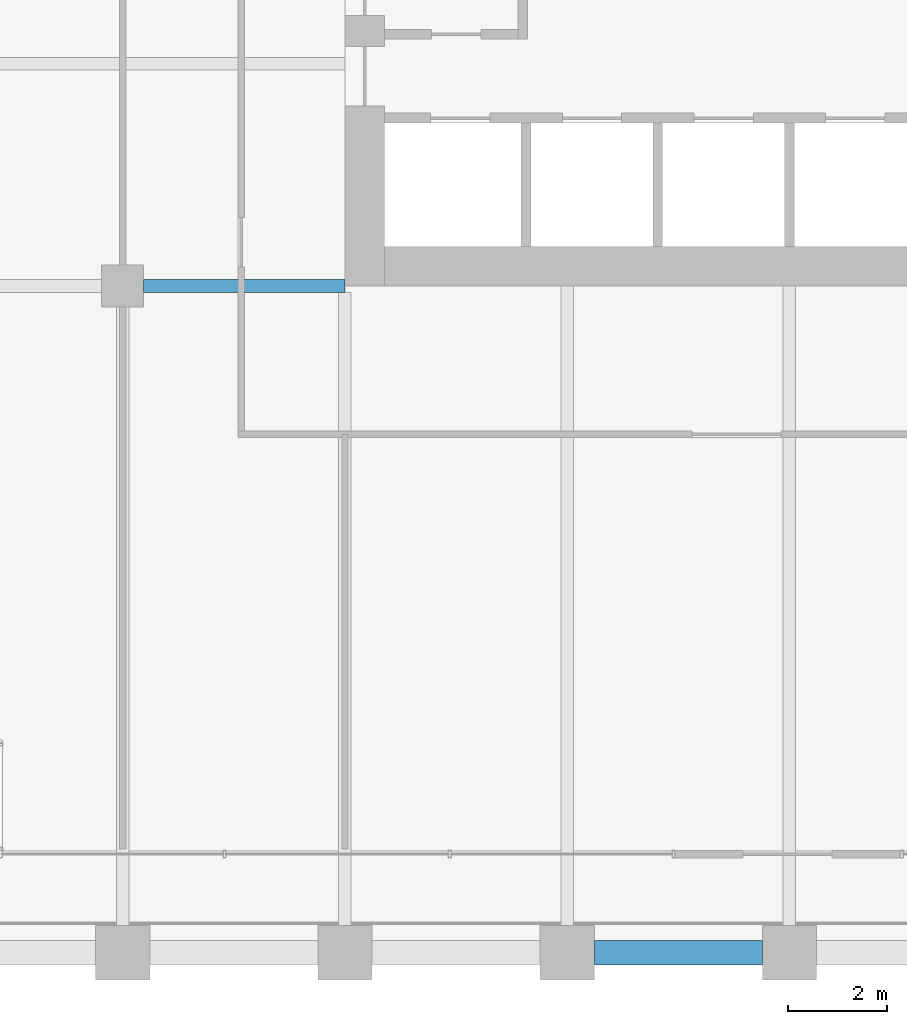
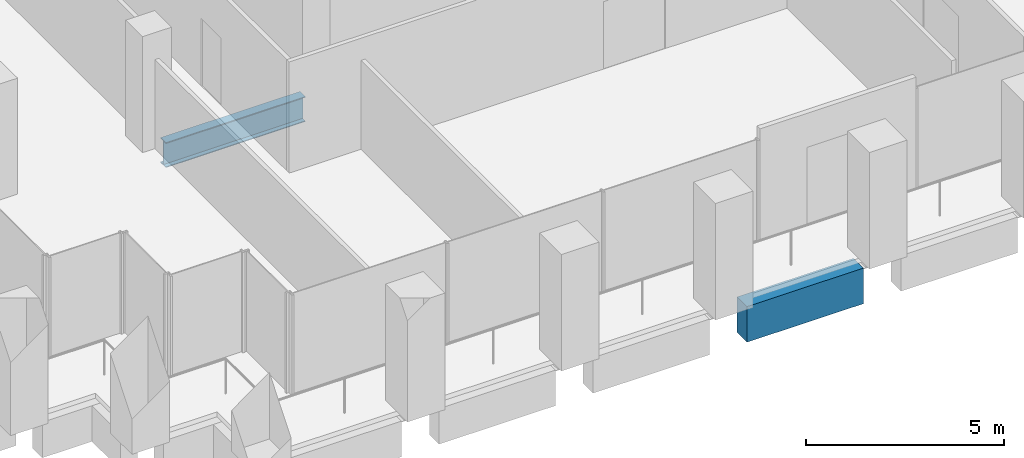
# One storey, part 6 of 54: 2 beams.
"""IFC4 building model written with IfcOpenShell, lengths in metres."""

from ifc_helpers import new_model, si_unit, direction, frame, origin, origin_2d, place, context, subcontext, project, spatial, rectangle, i_section, extrude, material, material_profile, profile_set, type_object, element, save


model = new_model("IFC4")

# Units and contexts
model_context = context("Model", 3, precision=1e-05, world=origin(), true_north=direction((0.0, 1.0)))
body_context = subcontext(model_context, "Body", "Model", "MODEL_VIEW")
ifc_project = project(units=[si_unit("LENGTHUNIT", "METRE"), si_unit("AREAUNIT", "SQUARE_METRE"), si_unit("VOLUMEUNIT", "CUBIC_METRE"), si_unit("PLANEANGLEUNIT", "RADIAN"), si_unit("MASSUNIT", "GRAM", prefix="KILO")], contexts=[model_context])

# Site, building, storey
site_placement = place(None, origin())
site = spatial("IfcSite", under=ifc_project, at=site_placement, CompositionType="ELEMENT")
building_placement = place(site_placement, origin())
building = spatial("IfcBuilding", under=site, at=building_placement, Name="Altepetl Exchange Towers", CompositionType="ELEMENT")
storey_placement = place(building_placement, frame((0.0, 0.0, 65.39990234375)))
storey = spatial("IfcBuildingStorey", under=building, at=storey_placement, Name="L15", CompositionType="ELEMENT", Elevation=65.39990234375)

# Beams
ifc_material_1 = material(Name="Steel S355", Category="steel")
ifc_material_profile_1 = material_profile(ifc_material_1, i_section(OverallWidth=0.26806640625, OverallDepth=0.77392578125, WebThickness=0.015380859375, FlangeThickness=0.025390625, at=origin_2d()), Name="W30X132")
ifc_profile_set_1 = profile_set([ifc_material_profile_1], Name="Steel S355")
beam_type_1 = type_object("IfcBeamType", Name="Girder W30X132", PredefinedType="BEAM", material=ifc_profile_set_1)
beam_1_placement = place(storey_placement, frame((40.5, 40.5, -0.536865234375), z_axis=(-1.0, 0.0, 0.0), x_axis=(0.0, -1.0, 0.0)))
element("IfcBeam", 1, at=beam_1_placement, inside=storey, type_object=beam_type_1, Name="gd:A:L15:009", PredefinedType="BEAM", context=body_context, shape_type="SweptSolid", body=[
    extrude(i_section(OverallWidth=0.26806640625, OverallDepth=0.77392578125, WebThickness=0.015380859375, FlangeThickness=0.025390625, at=origin_2d()), origin(), (0.0, 0.0, 1.0), 4.074951171875),
])
ifc_material_2 = material(Name="Concrete C50/60 precast with cantera blanca facing", Category="concrete")
ifc_material_profile_2 = material_profile(ifc_material_2, rectangle(XDim=0.5, YDim=1.10009765625, at=origin_2d()), Name="500 x 1100")
ifc_profile_set_2 = profile_set([ifc_material_profile_2], Name="Concrete C50/60 precast with cantera blanca facing")
beam_type_2 = type_object("IfcBeamType", Name="Spandrel beam 500x1100 cantera blanca", PredefinedType="SPANDREL", material=ifc_profile_set_2)
beam_2_placement = place(storey_placement, frame((45.550048828125, 27.0, -0.699951171875), z_axis=(1.0, 0.0, 0.0), x_axis=(0.0, 1.0, 0.0)))
element("IfcBeam", 2, at=beam_2_placement, inside=storey, type_object=beam_type_2, Name="sp:A:L15:003", PredefinedType="SPANDREL", context=body_context, shape_type="SweptSolid", body=[
    extrude(rectangle(XDim=0.5, YDim=1.10009765625, at=origin_2d()), origin(), (0.0, 0.0, 1.0), 3.39990234375),
])

save(model, "model.ifc")
